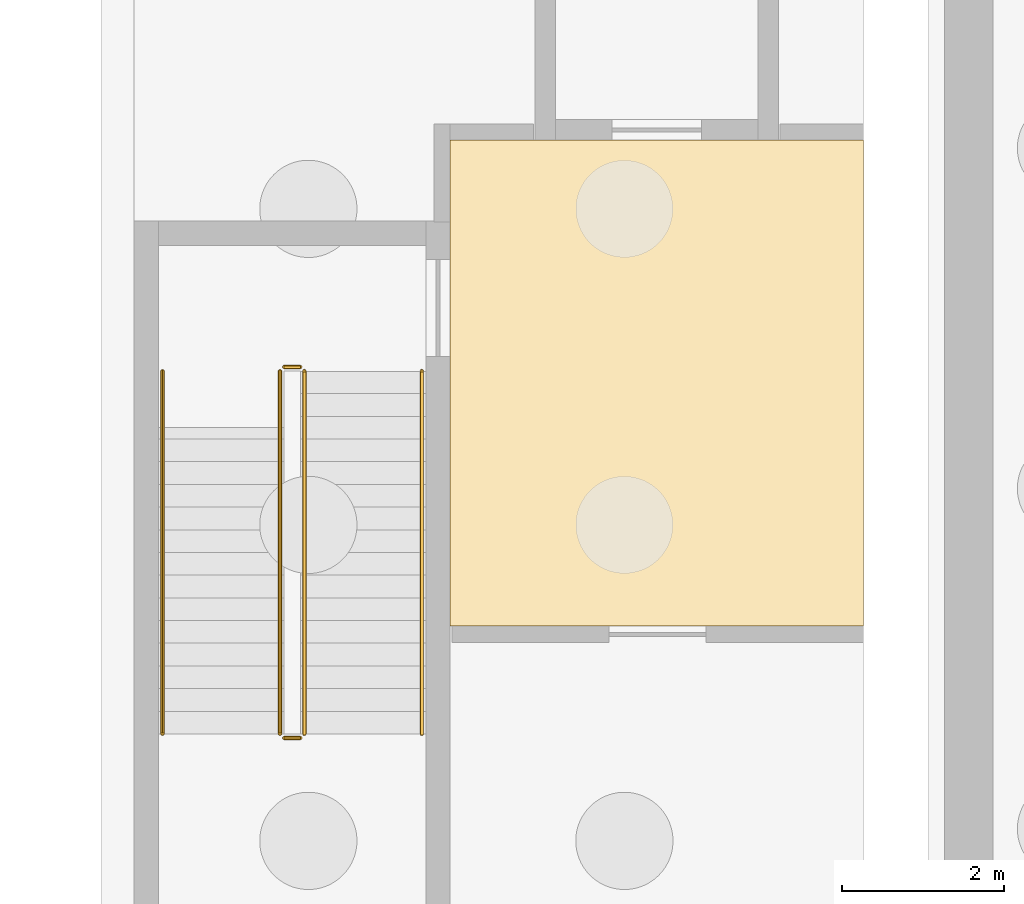
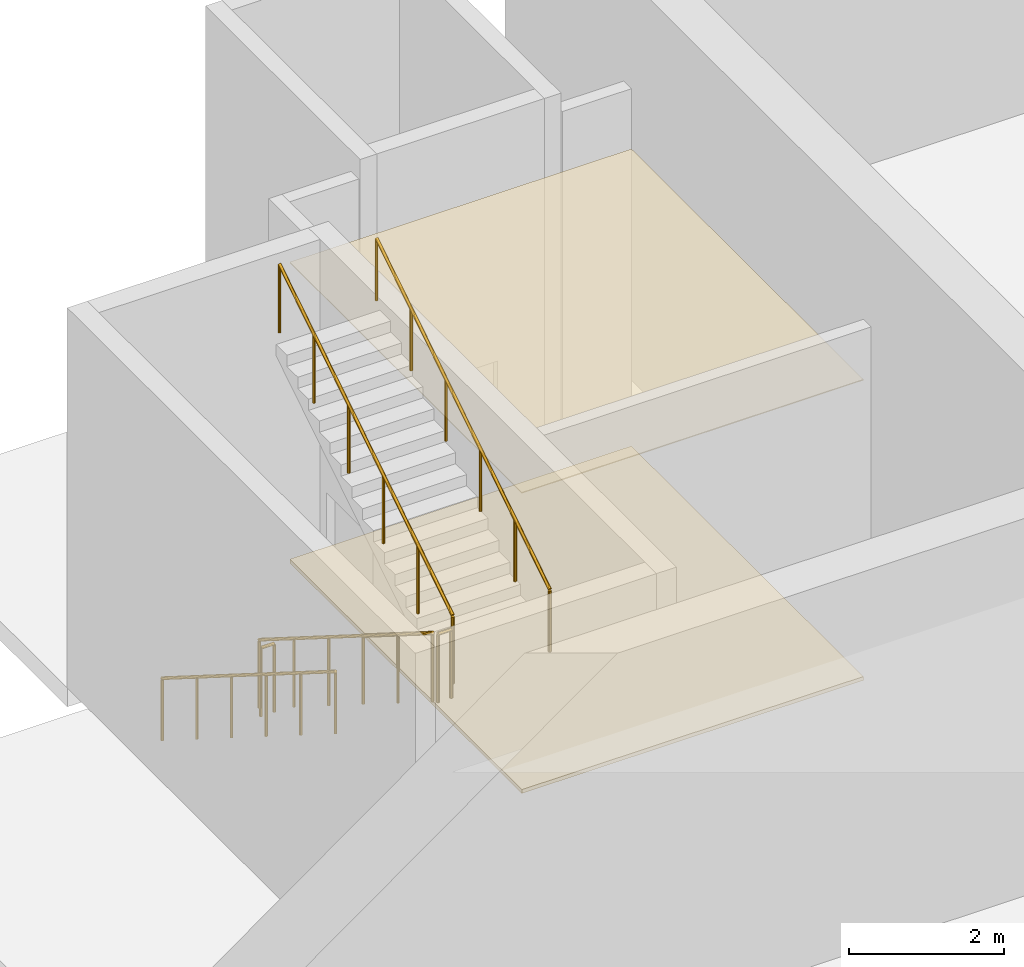
# One storey, part 54 of 66: 6 railings, 2 coverings.
"""IFC4 building model written with IfcOpenShell, lengths in metres."""

from ifc_helpers import new_model, si_unit, direction, frame, origin, origin_2d, place, context, subcontext, project, spatial, polyline, circle, outline, extrude, material, layer, layer_set, type_object, element, save


model = new_model("IFC4")

# Units and contexts
model_context = context("Model", 3, precision=1e-05, world=origin(), true_north=direction((0.0, 1.0)))
body_context = subcontext(model_context, "Body", "Model", "MODEL_VIEW")
ifc_project = project(units=[si_unit("LENGTHUNIT", "METRE"), si_unit("AREAUNIT", "SQUARE_METRE"), si_unit("VOLUMEUNIT", "CUBIC_METRE"), si_unit("PLANEANGLEUNIT", "RADIAN"), si_unit("MASSUNIT", "GRAM", prefix="KILO")], contexts=[model_context])

# Site, building, storey
site_placement = place(None, origin())
site = spatial("IfcSite", under=ifc_project, at=site_placement, CompositionType="ELEMENT")
building_placement = place(site_placement, origin())
building = spatial("IfcBuilding", under=site, at=building_placement, Name="Lunette Opera House", CompositionType="ELEMENT")
storey_placement = place(building_placement, frame((0.0, 0.0, -6.0)))
storey = spatial("IfcBuildingStorey", under=building, at=storey_placement, Name="B1", CompositionType="ELEMENT", Elevation=-6.0)

# Railings
ifc_material_1 = material(Name="Steel S355", Category="steel")
railing_type_1 = type_object("IfcRailingType", Name="STAIR GUARD 1100", PredefinedType="GUARDRAIL", material=ifc_material_1)
railing_1_placement = place(storey_placement, frame((75.800048828125, 128.14990234375, 0.176513671875)))
element("IfcRailing", 1, at=railing_1_placement, inside=storey, type_object=railing_type_1, Name="B1 ST11 stair guard 1", PredefinedType="GUARDRAIL", context=body_context, shape_type="SweptSolid", body=[
    extrude(circle(Radius=0.02392578125, at=origin_2d()), frame((0.0, 0.0, 1.076171875), z_axis=(0.0, -0.845997938375, 0.533186166611), x_axis=(1.0, 0.0, 0.0)), (0.0, 0.0, 1.0), 5.29541015625),
    extrude(circle(Radius=0.02099609375, at=origin_2d()), origin(), (0.0, 0.0, 1.0), 1.052001953125),
    extrude(circle(Radius=0.02099609375, at=origin_2d()), frame((0.0, -0.89599609375, 0.564697265625)), (0.0, 0.0, 1.0), 1.052001953125),
    extrude(circle(Radius=0.02099609375, at=origin_2d()), frame((0.0, -1.7919921875, 1.12939453125)), (0.0, 0.0, 1.0), 1.052001953125),
    extrude(circle(Radius=0.02099609375, at=origin_2d()), frame((0.0, -2.68798828125, 1.694091796875)), (0.0, 0.0, 1.0), 1.052001953125),
    extrude(circle(Radius=0.02099609375, at=origin_2d()), frame((0.0, -3.583984375, 2.2587890625)), (0.0, 0.0, 1.0), 1.052001953125),
    extrude(circle(Radius=0.02099609375, at=origin_2d()), frame((0.0, -4.47998046875, 2.823486328125)), (0.0, 0.0, 1.0), 1.052001953125),
])
railing_2_placement = place(storey_placement, frame((75.85009765625, 123.6201171875, 3.0)))
element("IfcRailing", 2, at=railing_2_placement, inside=storey, type_object=railing_type_1, Name="B1 ST11 stair guard 2", PredefinedType="GUARDRAIL", context=body_context, shape_type="SweptSolid", body=[
    extrude(circle(Radius=0.02392578125, at=origin_2d()), frame((0.0, 0.0, 1.076171875), z_axis=(1.0, 0.0, 0.0), x_axis=(0.0, 1.0, 0.0)), (0.0, 0.0, 1.0), 0.199951171875),
    extrude(circle(Radius=0.02099609375, at=origin_2d()), origin(), (0.0, 0.0, 1.0), 1.052001953125),
    extrude(circle(Radius=0.02099609375, at=origin_2d()), frame((0.199951171875, 0.0, 0.0)), (0.0, 0.0, 1.0), 1.052001953125),
])
railing_3_placement = place(storey_placement, frame((76.10009765625, 123.669921875, 3.176513671875)))
element("IfcRailing", 3, at=railing_3_placement, inside=storey, type_object=railing_type_1, Name="B1 ST11 stair guard 3", PredefinedType="GUARDRAIL", context=body_context, shape_type="SweptSolid", body=[
    extrude(circle(Radius=0.02392578125, at=origin_2d()), frame((0.0, 0.0, 1.076171875), z_axis=(0.0, 0.845997938375, 0.533186166611), x_axis=(-1.0, 0.0, 0.0)), (0.0, 0.0, 1.0), 5.29541015625),
    extrude(circle(Radius=0.02099609375, at=origin_2d()), origin(), (0.0, 0.0, 1.0), 1.052001953125),
    extrude(circle(Radius=0.02099609375, at=origin_2d()), frame((0.0, 0.89599609375, 0.564697265625)), (0.0, 0.0, 1.0), 1.052001953125),
    extrude(circle(Radius=0.02099609375, at=origin_2d()), frame((0.0, 1.7919921875, 1.12939453125)), (0.0, 0.0, 1.0), 1.052001953125),
    extrude(circle(Radius=0.02099609375, at=origin_2d()), frame((0.0, 2.68798828125, 1.694091796875)), (0.0, 0.0, 1.0), 1.052001953125),
    extrude(circle(Radius=0.02099609375, at=origin_2d()), frame((0.0, 3.583984375, 2.2587890625)), (0.0, 0.0, 1.0), 1.052001953125),
    extrude(circle(Radius=0.02099609375, at=origin_2d()), frame((0.0, 4.47998046875, 2.823486328125)), (0.0, 0.0, 1.0), 1.052001953125),
])
railing_4_placement = place(storey_placement, frame((75.85009765625, 128.199951171875, 0.0)))
element("IfcRailing", 4, at=railing_4_placement, inside=storey, type_object=railing_type_1, Name="B1 ST11 stair guard 4", PredefinedType="GUARDRAIL", context=body_context, shape_type="SweptSolid", body=[
    extrude(circle(Radius=0.02392578125, at=origin_2d()), frame((0.0, 0.0, 1.076171875), z_axis=(1.0, 0.0, 0.0), x_axis=(0.0, 1.0, 0.0)), (0.0, 0.0, 1.0), 0.199951171875),
    extrude(circle(Radius=0.02099609375, at=origin_2d()), origin(), (0.0, 0.0, 1.0), 1.052001953125),
    extrude(circle(Radius=0.02099609375, at=origin_2d()), frame((0.199951171875, 0.0, 0.0)), (0.0, 0.0, 1.0), 1.052001953125),
])
ifc_material_2 = material(Name="Steel S355", Category="steel")
railing_type_2 = type_object("IfcRailingType", Name="STAIR HANDRAIL 1000", PredefinedType="HANDRAIL", material=ifc_material_2)
railing_5_placement = place(storey_placement, frame((74.35009765625, 128.14990234375, 0.176513671875)))
element("IfcRailing", 5, at=railing_5_placement, inside=storey, type_object=railing_type_2, Name="B1 ST11 stair handrail 1", PredefinedType="HANDRAIL", context=body_context, shape_type="SweptSolid", body=[
    extrude(circle(Radius=0.02392578125, at=origin_2d()), frame((0.0, 0.0, 0.97607421875), z_axis=(0.0, -0.845997938375, 0.533186166611), x_axis=(1.0, 0.0, 0.0)), (0.0, 0.0, 1.0), 5.29541015625),
    extrude(circle(Radius=0.02099609375, at=origin_2d()), origin(), (0.0, 0.0, 1.0), 0.951904296875),
    extrude(circle(Radius=0.02099609375, at=origin_2d()), frame((0.0, -0.89599609375, 0.564697265625)), (0.0, 0.0, 1.0), 0.951904296875),
    extrude(circle(Radius=0.02099609375, at=origin_2d()), frame((0.0, -1.7919921875, 1.12939453125)), (0.0, 0.0, 1.0), 0.951904296875),
    extrude(circle(Radius=0.02099609375, at=origin_2d()), frame((0.0, -2.68798828125, 1.694091796875)), (0.0, 0.0, 1.0), 0.951904296875),
    extrude(circle(Radius=0.02099609375, at=origin_2d()), frame((0.0, -3.583984375, 2.2587890625)), (0.0, 0.0, 1.0), 0.951904296875),
    extrude(circle(Radius=0.02099609375, at=origin_2d()), frame((0.0, -4.47998046875, 2.823486328125)), (0.0, 0.0, 1.0), 0.951904296875),
])
railing_6_placement = place(storey_placement, frame((77.550048828125, 123.669921875, 3.176513671875)))
element("IfcRailing", 6, at=railing_6_placement, inside=storey, type_object=railing_type_2, Name="B1 ST11 stair handrail 2", PredefinedType="HANDRAIL", context=body_context, shape_type="SweptSolid", body=[
    extrude(circle(Radius=0.02392578125, at=origin_2d()), frame((0.0, 0.0, 0.97607421875), z_axis=(0.0, 0.845997938375, 0.533186166611), x_axis=(-1.0, 0.0, 0.0)), (0.0, 0.0, 1.0), 5.29541015625),
    extrude(circle(Radius=0.02099609375, at=origin_2d()), origin(), (0.0, 0.0, 1.0), 0.951904296875),
    extrude(circle(Radius=0.02099609375, at=origin_2d()), frame((0.0, 0.89599609375, 0.564697265625)), (0.0, 0.0, 1.0), 0.951904296875),
    extrude(circle(Radius=0.02099609375, at=origin_2d()), frame((0.0, 1.7919921875, 1.12939453125)), (0.0, 0.0, 1.0), 0.951904296875),
    extrude(circle(Radius=0.02099609375, at=origin_2d()), frame((0.0, 2.68798828125, 1.694091796875)), (0.0, 0.0, 1.0), 0.951904296875),
    extrude(circle(Radius=0.02099609375, at=origin_2d()), frame((0.0, 3.583984375, 2.2587890625)), (0.0, 0.0, 1.0), 0.951904296875),
    extrude(circle(Radius=0.02099609375, at=origin_2d()), frame((0.0, 4.47998046875, 2.823486328125)), (0.0, 0.0, 1.0), 0.951904296875),
])

# Coverings
ifc_material_3 = material(Name="Mineral fibre board")
ifc_layer_1 = layer(ifc_material_3, 0.014892578125)
ifc_layer_set_1 = layer_set([ifc_layer_1], Name="Mineral fibre board")
covering_type_1 = type_object("IfcCoveringType", Name="SUSPENDED ACOUSTIC CEILING 15", PredefinedType="CEILING", material=ifc_layer_set_1)
covering_1_placement = place(storey_placement, frame((0.0, 0.0, 4.735107421875)))
element("IfcCovering", 7, at=covering_1_placement, inside=storey, type_object=covering_type_1, Name="Ceiling Lift Lobby B1 Stage Tower", PredefinedType="CEILING", context=body_context, shape_type="SweptSolid", body=[
    extrude(outline(polyline([(83.0, 125.0), (83.0, 131.0), (77.89990234375, 131.0), (77.89990234375, 125.0), (83.0, 125.0)])), origin(), (0.0, 0.0, 1.0), 0.014892578125),
])
ifc_material_4 = material(Name="Terrazzo")
ifc_layer_2 = layer(ifc_material_4, 0.06005859375)
ifc_layer_set_2 = layer_set([ifc_layer_2], Name="Terrazzo")
covering_type_2 = type_object("IfcCoveringType", Name="TERRAZZO FLOOR FINISH 60", PredefinedType="FLOORING", material=ifc_layer_set_2)
covering_2_placement = place(storey_placement, origin())
element("IfcCovering", 8, at=covering_2_placement, inside=storey, type_object=covering_type_2, Name="Floor finish Lift Lobby B1 Stage Tower", PredefinedType="FLOORING", context=body_context, shape_type="SweptSolid", body=[
    extrude(outline(polyline([(83.0, 125.0), (83.0, 131.0), (77.89990234375, 131.0), (77.89990234375, 125.0), (83.0, 125.0)])), origin(), (0.0, 0.0, 1.0), 0.06005859375),
])

save(model, "model.ifc")
